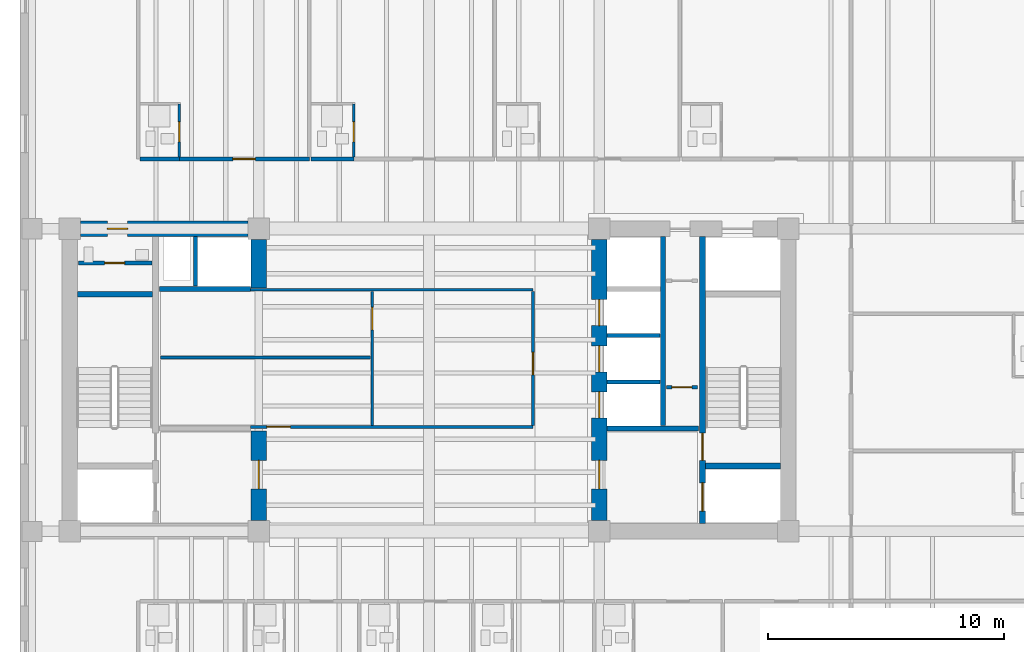
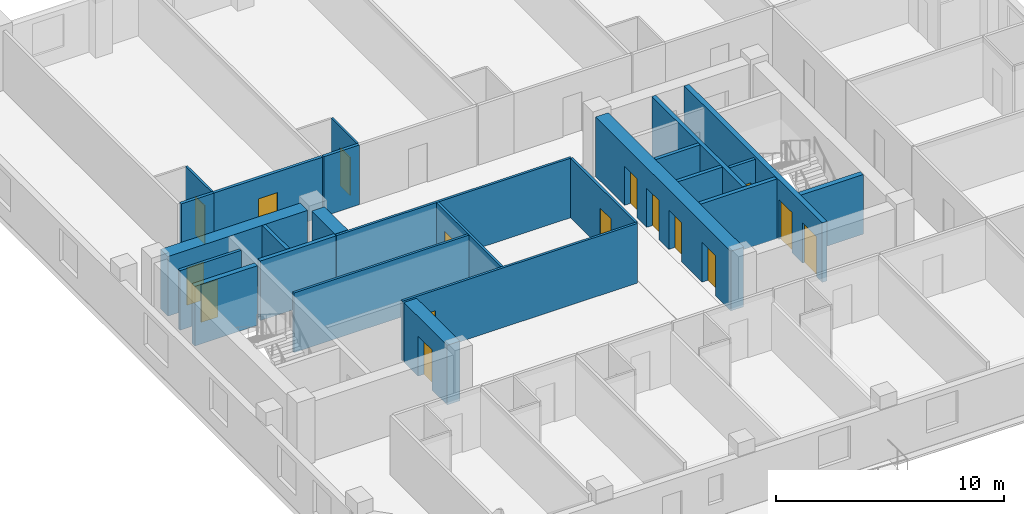
# One storey, part 4 of 11: 25 walls, 16 doors, 16 openings.
"""IFC4 building model written with IfcOpenShell, lengths in metres."""

from ifc_helpers import new_model, si_unit, direction, frame, frame_2d, origin, place, context, subcontext, project, spatial, rectangle, extrude, material, layer, layer_set, type_object, element, fill, save


model = new_model("IFC4")

# Units and contexts
model_context = context("Model", 3, precision=1e-05, world=origin(), true_north=direction((0.0, 1.0)))
body_context = subcontext(model_context, "Body", "Model", "MODEL_VIEW")
ifc_project = project(units=[si_unit("LENGTHUNIT", "METRE"), si_unit("AREAUNIT", "SQUARE_METRE"), si_unit("VOLUMEUNIT", "CUBIC_METRE"), si_unit("PLANEANGLEUNIT", "RADIAN"), si_unit("MASSUNIT", "GRAM", prefix="KILO")], contexts=[model_context])

# Site, building, storey
site_placement = place(None, origin())
site = spatial("IfcSite", under=ifc_project, at=site_placement, CompositionType="ELEMENT")
building_placement = place(site_placement, origin())
building = spatial("IfcBuilding", under=site, at=building_placement, Name="Kranthara Brick Stack", CompositionType="ELEMENT")
storey_placement = place(building_placement, frame((0.0, 0.0, 172.800048828125)))
storey = spatial("IfcBuildingStorey", under=building, at=storey_placement, Name="L44", CompositionType="ELEMENT", Elevation=172.800048828125)

# Wall
ifc_material_1 = material(Name="Concrete C50/60", Category="concrete")
ifc_layer_1 = layer(ifc_material_1, 0.25)
ifc_layer_set_1 = layer_set([ifc_layer_1], Name="Concrete C50/60")
wall_type_1 = type_object("IfcWallType", Name="WL-CORE-250", PredefinedType="SHEAR", material=ifc_layer_set_1)
wall_1_placement = place(storey_placement, frame((13.135009765625, 30.830078125, 0.0), z_axis=(0.0, 0.0, 1.0), x_axis=(1.0, 0.0, 0.0)))
element("IfcWall", 1, at=wall_1_placement, inside=storey, type_object=wall_type_1, Name="L44 West Stairwell Bearing Wall WST", PredefinedType="SHEAR", context=body_context, shape_type="SweptSolid", body=[
    extrude(rectangle(XDim=3.175048828125, YDim=0.25, at=frame_2d((1.58740234375, 0.0))), origin(), (0.0, 0.0, 1.0), 3.199951171875),
])

# Wall, openings, doors
wall_2_placement = place(storey_placement, frame((39.56494140625, 21.135009765625, 0.0), z_axis=(0.0, 0.0, 1.0), x_axis=(0.0, 1.0, 0.0)))
wall_2 = element("IfcWall", 2, at=wall_2_placement, inside=storey, type_object=wall_type_1, Name="L44 East Core Stair Bearing Spine Wall", PredefinedType="SHEAR", context=body_context, shape_type="SweptSolid", body=[
    extrude(rectangle(XDim=12.1298828125, YDim=0.25, at=frame_2d((6.06494140625, 0.0))), origin(), (0.0, 0.0, 1.0), 3.199951171875),
])
opening_1_placement = place(wall_2_placement, frame((0.514892578125, 0.0, 0.0)))
opening_1 = element("IfcOpeningElement", 3, at=opening_1_placement, cuts=wall_2, Name="Opening LD01", PredefinedType="OPENING", context=body_context, shape_type="SweptSolid", body=[
    extrude(rectangle(XDim=1.199951171875, YDim=2.14990234375, at=frame_2d((0.60009765625, 1.074951171875))), frame((0.0, 0.135009765625, 0.0), z_axis=(0.0, -1.0, 0.0), x_axis=(1.0, 0.0, 0.0)), (0.0, 0.0, 1.0), 0.27001953125),
])
opening_2_placement = place(wall_2_placement, frame((2.6650390625, 0.0, 0.0)))
opening_2 = element("IfcOpeningElement", 4, at=opening_2_placement, cuts=wall_2, Name="Opening D05", PredefinedType="OPENING", context=body_context, shape_type="SweptSolid", body=[
    extrude(rectangle(XDim=1.14990234375, YDim=2.14990234375, at=frame_2d((0.574951171875, 1.074951171875))), frame((0.0, 0.135009765625, 0.0), z_axis=(0.0, -1.0, 0.0), x_axis=(1.0, 0.0, 0.0)), (0.0, 0.0, 1.0), 0.27001953125),
])
ifc_material_2 = material(Name="Stainless steel sliding landing door", Category="steel")
door_type_1 = type_object("IfcDoorType", Name="DR-LD-FF1200", OperationType="DOUBLE_DOOR_SLIDING", PredefinedType="DOOR", material=ifc_material_2)
door_1_placement = place(opening_1_placement, origin())
door_1 = element("IfcDoor", 5, at=door_1_placement, inside=storey, type_object=door_type_1, Name="L44 Firefighting Lift FF-02 Landing Door", OperationType="DOUBLE_DOOR_SLIDING", OverallHeight=2.14990234375, OverallWidth=1.199951171875, PredefinedType="DOOR", context=body_context, shape_type="SweptSolid", body=[
    extrude(rectangle(XDim=1.199951171875, YDim=2.14990234375, at=frame_2d((0.60009765625, 1.074951171875))), frame((0.0, 0.02490234375, 0.0), z_axis=(0.0, -1.0, 0.0), x_axis=(1.0, 0.0, 0.0)), (0.0, 0.0, 1.0), 0.050048828125),
])
fill(opening_1, door_1)
ifc_material_3 = material(Name="Solid-core hardwood timber leaf in steel frame", Category="steel")
door_type_2 = type_object("IfcDoorType", Name="DR-ST-1150", OperationType="NOTDEFINED", PredefinedType="DOOR", material=ifc_material_3)
door_2_placement = place(opening_2_placement, origin())
door_2 = element("IfcDoor", 6, at=door_2_placement, inside=storey, type_object=door_type_2, Name="L44 Exit Stair ST02 Door", OperationType="SINGLE_SWING_LEFT", OverallHeight=2.14990234375, OverallWidth=1.14990234375, PredefinedType="DOOR", context=body_context, shape_type="SweptSolid", body=[
    extrude(rectangle(XDim=1.14990234375, YDim=2.14990234375, at=frame_2d((0.574951171875, 1.074951171875))), frame((0.0, 0.02490234375, 0.0), z_axis=(0.0, -1.0, 0.0), x_axis=(1.0, 0.0, 0.0)), (0.0, 0.0, 1.0), 0.050048828125),
])
fill(opening_2, door_2)

# Wall
wall_3_placement = place(storey_placement, frame((39.68994140625, 23.570068359375, 0.0), z_axis=(0.0, 0.0, 1.0), x_axis=(1.0, 0.0, 0.0)))
element("IfcWall", 7, at=wall_3_placement, inside=storey, type_object=wall_type_1, Name="L44 East Stairwell Bearing Wall EFF", PredefinedType="SHEAR", context=body_context, shape_type="SweptSolid", body=[
    extrude(rectangle(XDim=3.175048828125, YDim=0.25, at=frame_2d((1.58740234375, 0.0))), origin(), (0.0, 0.0, 1.0), 3.199951171875),
])

# Wall, opening, door
ifc_material_4 = material(Name="Concrete C60/75", Category="concrete")
ifc_layer_2 = layer(ifc_material_4, 0.64990234375)
ifc_layer_set_2 = layer_set([ifc_layer_2], Name="Concrete C60/75")
wall_type_2 = type_object("IfcWallType", Name="WL-CORE-650", PredefinedType="SHEAR", material=ifc_layer_set_2)
wall_4_placement = place(storey_placement, frame((13.2548828125, 33.60009765625, 0.0), z_axis=(0.0, 0.0, 1.0), x_axis=(1.0, 0.0, 0.0)))
wall_4 = element("IfcWall", 8, at=wall_4_placement, inside=storey, type_object=wall_type_2, Name="L44 West Core Shear Wall North", PredefinedType="SHEAR", context=body_context, shape_type="SweptSolid", body=[
    extrude(rectangle(XDim=7.090087890625, YDim=0.64990234375, at=frame_2d((3.544921875, 0.0))), origin(), (0.0, 0.0, 1.0), 3.199951171875),
])
opening_3_placement = place(wall_4_placement, frame((1.14501953125, 0.0, 0.0)))
opening_3 = element("IfcOpeningElement", 9, at=opening_3_placement, cuts=wall_4, Name="Opening D10", PredefinedType="OPENING", context=body_context, shape_type="SweptSolid", body=[
    extrude(rectangle(XDim=0.85009765625, YDim=2.02001953125, at=frame_2d((0.425048828125, 1.010009765625))), frame((0.0, 0.3349609375, 0.0), z_axis=(0.0, -1.0, 0.0), x_axis=(1.0, 0.0, 0.0)), (0.0, 0.0, 1.0), 0.669921875),
])
ifc_material_5 = material(Name="Solid-core hardwood timber leaf in steel frame", Category="steel")
door_type_3 = type_object("IfcDoorType", Name="DR-RSR-850", OperationType="NOTDEFINED", PredefinedType="DOOR", material=ifc_material_5)
door_3_placement = place(opening_3_placement, origin())
door_3 = element("IfcDoor", 10, at=door_3_placement, inside=storey, type_object=door_type_3, Name="L44 West Core Service Door 1", OperationType="SINGLE_SWING_LEFT", OverallHeight=2.02001953125, OverallWidth=0.85009765625, PredefinedType="DOOR", context=body_context, shape_type="SweptSolid", body=[
    extrude(rectangle(XDim=0.85009765625, YDim=2.02001953125, at=frame_2d((0.425048828125, 1.010009765625))), frame((0.0, 0.02490234375, 0.0), z_axis=(0.0, -1.0, 0.0), x_axis=(1.0, 0.0, 0.0)), (0.0, 0.0, 1.0), 0.050048828125),
])
fill(opening_3, door_3)

wall_5_placement = place(storey_placement, frame((20.800048828125, 21.2548828125, 0.0), z_axis=(0.0, 0.0, 1.0), x_axis=(0.0, 1.0, 0.0)))
wall_5 = element("IfcWall", 11, at=wall_5_placement, inside=storey, type_object=wall_type_2, Name="L44 West Core Lobby Shear Wall", PredefinedType="SHEAR", context=body_context, shape_type="SweptSolid", body=[
    extrude(rectangle(XDim=3.795166015625, YDim=0.64990234375, at=frame_2d((1.8974609375, 0.0))), origin(), (0.0, 0.0, 1.0), 3.199951171875),
])
opening_4_placement = place(wall_5_placement, frame((1.344970703125, 0.0, 0.0)))
opening_4 = element("IfcOpeningElement", 12, at=opening_4_placement, cuts=wall_5, Name="Opening D06", PredefinedType="OPENING", context=body_context, shape_type="SweptSolid", body=[
    extrude(rectangle(XDim=1.199951171875, YDim=2.14990234375, at=frame_2d((0.60009765625, 1.074951171875))), frame((0.0, 0.3349609375, 0.0), z_axis=(0.0, -1.0, 0.0), x_axis=(1.0, 0.0, 0.0)), (0.0, 0.0, 1.0), 0.669921875),
])
ifc_material_6 = material(Name="Solid-core hardwood timber leaf in steel frame", Category="steel")
door_type_4 = type_object("IfcDoorType", Name="DR-FFL-1200", OperationType="NOTDEFINED", PredefinedType="DOOR", material=ifc_material_6)
door_4_placement = place(opening_4_placement, origin())
door_4 = element("IfcDoor", 13, at=door_4_placement, inside=storey, type_object=door_type_4, Name="L44 West Firefighting Lobby Door", OperationType="SINGLE_SWING_LEFT", OverallHeight=2.14990234375, OverallWidth=1.199951171875, PredefinedType="DOOR", context=body_context, shape_type="SweptSolid", body=[
    extrude(rectangle(XDim=1.199951171875, YDim=2.14990234375, at=frame_2d((0.60009765625, 1.074951171875))), frame((0.0, 0.02490234375, 0.0), z_axis=(0.0, -1.0, 0.0), x_axis=(1.0, 0.0, 0.0)), (0.0, 0.0, 1.0), 0.050048828125),
])
fill(opening_4, door_4)

# Wall
wall_6_placement = place(storey_placement, frame((20.800048828125, 31.10009765625, 0.0), z_axis=(0.0, 0.0, 1.0), x_axis=(0.0, 1.0, 0.0)))
element("IfcWall", 14, at=wall_6_placement, inside=storey, type_object=wall_type_2, Name="L44 West Core High-Rise Lift Wall", PredefinedType="SHEAR", context=body_context, shape_type="SweptSolid", body=[
    extrude(rectangle(XDim=2.044921875, YDim=0.64990234375, at=frame_2d((1.0224609375, 0.0))), origin(), (0.0, 0.0, 1.0), 3.199951171875),
])

# Wall, openings, doors
wall_7_placement = place(storey_placement, frame((35.199951171875, 21.2548828125, 0.0), z_axis=(0.0, 0.0, 1.0), x_axis=(0.0, 1.0, 0.0)))
wall_7 = element("IfcWall", 15, at=wall_7_placement, inside=storey, type_object=wall_type_2, Name="L44 East Core Shear Wall West", PredefinedType="SHEAR", context=body_context, shape_type="SweptSolid", body=[
    extrude(rectangle(XDim=11.89013671875, YDim=0.64990234375, at=frame_2d((5.945068359375, 0.0))), origin(), (0.0, 0.0, 1.0), 3.199951171875),
])
opening_5_placement = place(wall_7_placement, frame((1.344970703125, 0.0, 0.0)))
opening_5 = element("IfcOpeningElement", 16, at=opening_5_placement, cuts=wall_7, Name="Opening D06", PredefinedType="OPENING", context=body_context, shape_type="SweptSolid", body=[
    extrude(rectangle(XDim=1.199951171875, YDim=2.14990234375, at=frame_2d((0.60009765625, 1.074951171875))), frame((0.0, 0.3349609375, 0.0), z_axis=(0.0, -1.0, 0.0), x_axis=(1.0, 0.0, 0.0)), (0.0, 0.0, 1.0), 0.669921875),
])
opening_6_placement = place(wall_7_placement, frame((4.344970703125, 0.0, 0.0)))
opening_6 = element("IfcOpeningElement", 17, at=opening_6_placement, cuts=wall_7, Name="Opening LD02", PredefinedType="OPENING", context=body_context, shape_type="SweptSolid", body=[
    extrude(rectangle(XDim=1.10009765625, YDim=2.10009765625, at=frame_2d((0.550048828125, 1.050048828125))), frame((0.0, 0.3349609375, 0.0), z_axis=(0.0, -1.0, 0.0), x_axis=(1.0, 0.0, 0.0)), (0.0, 0.0, 1.0), 0.669921875),
])
opening_7_placement = place(wall_7_placement, frame((6.294921875, 0.0, 0.0)))
opening_7 = element("IfcOpeningElement", 18, at=opening_7_placement, cuts=wall_7, Name="Opening LD02", PredefinedType="OPENING", context=body_context, shape_type="SweptSolid", body=[
    extrude(rectangle(XDim=1.10009765625, YDim=2.10009765625, at=frame_2d((0.550048828125, 1.050048828125))), frame((0.0, 0.3349609375, 0.0), z_axis=(0.0, -1.0, 0.0), x_axis=(1.0, 0.0, 0.0)), (0.0, 0.0, 1.0), 0.669921875),
])
opening_8_placement = place(wall_7_placement, frame((8.2451171875, 0.0, 0.0)))
opening_8 = element("IfcOpeningElement", 19, at=opening_8_placement, cuts=wall_7, Name="Opening LD02", PredefinedType="OPENING", context=body_context, shape_type="SweptSolid", body=[
    extrude(rectangle(XDim=1.10009765625, YDim=2.10009765625, at=frame_2d((0.550048828125, 1.050048828125))), frame((0.0, 0.3349609375, 0.0), z_axis=(0.0, -1.0, 0.0), x_axis=(1.0, 0.0, 0.0)), (0.0, 0.0, 1.0), 0.669921875),
])
door_5_placement = place(opening_5_placement, origin())
door_5 = element("IfcDoor", 20, at=door_5_placement, inside=storey, type_object=door_type_4, Name="L44 East Firefighting Lobby Door", OperationType="SINGLE_SWING_RIGHT", OverallHeight=2.14990234375, OverallWidth=1.199951171875, PredefinedType="DOOR", context=body_context, shape_type="SweptSolid", body=[
    extrude(rectangle(XDim=1.199951171875, YDim=2.14990234375, at=frame_2d((0.60009765625, 1.074951171875))), frame((0.0, 0.02490234375, 0.0), z_axis=(0.0, -1.0, 0.0), x_axis=(1.0, 0.0, 0.0)), (0.0, 0.0, 1.0), 0.050048828125),
])
fill(opening_5, door_5)
ifc_material_7 = material(Name="Stainless steel sliding landing door", Category="steel")
door_type_5 = type_object("IfcDoorType", Name="DR-LD-PL1100", OperationType="DOUBLE_DOOR_SLIDING", PredefinedType="DOOR", material=ifc_material_7)
door_6_placement = place(opening_6_placement, origin())
door_6 = element("IfcDoor", 21, at=door_6_placement, inside=storey, type_object=door_type_5, Name="L44 PL-04 Lift Landing Door", OperationType="DOUBLE_DOOR_SLIDING", OverallHeight=2.10009765625, OverallWidth=1.10009765625, PredefinedType="DOOR", context=body_context, shape_type="SweptSolid", body=[
    extrude(rectangle(XDim=1.10009765625, YDim=2.10009765625, at=frame_2d((0.550048828125, 1.050048828125))), frame((0.0, 0.02490234375, 0.0), z_axis=(0.0, -1.0, 0.0), x_axis=(1.0, 0.0, 0.0)), (0.0, 0.0, 1.0), 0.050048828125),
])
fill(opening_6, door_6)
door_7_placement = place(opening_7_placement, origin())
door_7 = element("IfcDoor", 22, at=door_7_placement, inside=storey, type_object=door_type_5, Name="L44 PL-05 Lift Landing Door", OperationType="DOUBLE_DOOR_SLIDING", OverallHeight=2.10009765625, OverallWidth=1.10009765625, PredefinedType="DOOR", context=body_context, shape_type="SweptSolid", body=[
    extrude(rectangle(XDim=1.10009765625, YDim=2.10009765625, at=frame_2d((0.550048828125, 1.050048828125))), frame((0.0, 0.02490234375, 0.0), z_axis=(0.0, -1.0, 0.0), x_axis=(1.0, 0.0, 0.0)), (0.0, 0.0, 1.0), 0.050048828125),
])
fill(opening_7, door_7)
door_8_placement = place(opening_8_placement, origin())
door_8 = element("IfcDoor", 23, at=door_8_placement, inside=storey, type_object=door_type_5, Name="L44 PL-06 Lift Landing Door", OperationType="DOUBLE_DOOR_SLIDING", OverallHeight=2.10009765625, OverallWidth=1.10009765625, PredefinedType="DOOR", context=body_context, shape_type="SweptSolid", body=[
    extrude(rectangle(XDim=1.10009765625, YDim=2.10009765625, at=frame_2d((0.550048828125, 1.050048828125))), frame((0.0, 0.02490234375, 0.0), z_axis=(0.0, -1.0, 0.0), x_axis=(1.0, 0.0, 0.0)), (0.0, 0.0, 1.0), 0.050048828125),
])
fill(opening_8, door_8)

# Wall, opening, door
ifc_material_8 = material(Name="Moisture-resistant wet-room partition", Category="other")
ifc_layer_3 = layer(ifc_material_8, 0.10009765625)
ifc_layer_set_3 = layer_set([ifc_layer_3], Name="Moisture-resistant wet-room partition")
wall_type_3 = type_object("IfcWallType", Name="WL-PART-100", PredefinedType="PARTITIONING", material=ifc_layer_set_3)
wall_8_placement = place(storey_placement, frame((17.4365234375, 36.6298828125, 0.0), z_axis=(0.0, 0.0, 1.0), x_axis=(0.0, 1.0, 0.0)))
wall_8 = element("IfcWall", 24, at=wall_8_placement, inside=storey, type_object=wall_type_3, Name="L44 Interior Partition 040", PredefinedType="PARTITIONING", context=body_context, shape_type="SweptSolid", body=[
    extrude(rectangle(XDim=2.25, YDim=0.10009765625, at=frame_2d((1.125, 0.0))), origin(), (0.0, 0.0, 1.0), 3.199951171875),
])
opening_9_placement = place(wall_8_placement, frame((0.639892578125, 0.0, 0.0)))
opening_9 = element("IfcOpeningElement", 25, at=opening_9_placement, cuts=wall_8, Name="Opening D17", PredefinedType="OPENING", context=body_context, shape_type="SweptSolid", body=[
    extrude(rectangle(XDim=0.85009765625, YDim=2.050048828125, at=frame_2d((0.425048828125, 1.02490234375))), frame((0.0, 0.06005859375, 0.0), z_axis=(0.0, -1.0, 0.0), x_axis=(1.0, 0.0, 0.0)), (0.0, 0.0, 1.0), 0.1201171875),
])
ifc_material_9 = material(Name="Solid-core hardwood timber leaf in steel frame", Category="steel")
door_type_6 = type_object("IfcDoorType", Name="DR-WET-850", OperationType="NOTDEFINED", PredefinedType="DOOR", material=ifc_material_9)
door_9_placement = place(opening_9_placement, origin())
door_9 = element("IfcDoor", 26, at=door_9_placement, inside=storey, type_object=door_type_6, Name="L44 Key 07 En-Suite Door 18", OperationType="SINGLE_SWING_RIGHT", OverallHeight=2.050048828125, OverallWidth=0.85009765625, PredefinedType="DOOR", context=body_context, shape_type="SweptSolid", body=[
    extrude(rectangle(XDim=0.85009765625, YDim=2.050048828125, at=frame_2d((0.425048828125, 1.02490234375))), frame((0.0, 0.02490234375, 0.0), z_axis=(0.0, -1.0, 0.0), x_axis=(1.0, 0.0, 0.0)), (0.0, 0.0, 1.0), 0.050048828125),
])
fill(opening_9, door_9)

wall_9_placement = place(storey_placement, frame((24.8173828125, 36.6298828125, 0.0), z_axis=(0.0, 0.0, 1.0), x_axis=(0.0, 1.0, 0.0)))
wall_9 = element("IfcWall", 27, at=wall_9_placement, inside=storey, type_object=wall_type_3, Name="L44 Interior Partition 045", PredefinedType="PARTITIONING", context=body_context, shape_type="SweptSolid", body=[
    extrude(rectangle(XDim=2.25, YDim=0.10009765625, at=frame_2d((1.125, 0.0))), origin(), (0.0, 0.0, 1.0), 3.199951171875),
])
opening_10_placement = place(wall_9_placement, frame((0.639892578125, 0.0, 0.0)))
opening_10 = element("IfcOpeningElement", 28, at=opening_10_placement, cuts=wall_9, Name="Opening D17", PredefinedType="OPENING", context=body_context, shape_type="SweptSolid", body=[
    extrude(rectangle(XDim=0.85009765625, YDim=2.050048828125, at=frame_2d((0.425048828125, 1.02490234375))), frame((0.0, 0.06005859375, 0.0), z_axis=(0.0, -1.0, 0.0), x_axis=(1.0, 0.0, 0.0)), (0.0, 0.0, 1.0), 0.1201171875),
])
door_10_placement = place(opening_10_placement, origin())
door_10 = element("IfcDoor", 29, at=door_10_placement, inside=storey, type_object=door_type_6, Name="L44 Key 08 En-Suite Door 20", OperationType="SINGLE_SWING_RIGHT", OverallHeight=2.050048828125, OverallWidth=0.85009765625, PredefinedType="DOOR", context=body_context, shape_type="SweptSolid", body=[
    extrude(rectangle(XDim=0.85009765625, YDim=2.050048828125, at=frame_2d((0.425048828125, 1.02490234375))), frame((0.0, 0.02490234375, 0.0), z_axis=(0.0, -1.0, 0.0), x_axis=(1.0, 0.0, 0.0)), (0.0, 0.0, 1.0), 0.050048828125),
])
fill(opening_10, door_10)

ifc_material_10 = material(Name="Acoustic gypsum plasterboard partition", Category="other")
ifc_layer_4 = layer(ifc_material_10, 0.1201171875)
ifc_layer_set_4 = layer_set([ifc_layer_4], Name="Acoustic gypsum plasterboard partition")
wall_type_4 = type_object("IfcWallType", Name="WL-PART-120", PredefinedType="PARTITIONING", material=ifc_layer_set_4)
wall_10_placement = place(storey_placement, frame((20.4599609375, 25.219970703125, 0.0), z_axis=(0.0, 0.0, 1.0), x_axis=(1.0, 0.0, 0.0)))
wall_10 = element("IfcWall", 30, at=wall_10_placement, inside=storey, type_object=wall_type_4, Name="L44 Interior Partition 004", PredefinedType="PARTITIONING", context=body_context, shape_type="SweptSolid", body=[
    extrude(rectangle(XDim=11.93994140625, YDim=0.1201171875, at=frame_2d((5.969970703125, 0.0))), origin(), (0.0, 0.0, 1.0), 3.199951171875),
])
opening_11_placement = place(wall_10_placement, frame((0.679931640625, 0.0, 0.0)))
opening_11 = element("IfcOpeningElement", 31, at=opening_11_placement, cuts=wall_10, Name="Opening D13", PredefinedType="OPENING", context=body_context, shape_type="SweptSolid", body=[
    extrude(rectangle(XDim=1.0, YDim=2.10009765625, at=frame_2d((0.5, 1.050048828125))), frame((0.0, 0.070068359375, 0.0), z_axis=(0.0, -1.0, 0.0), x_axis=(1.0, 0.0, 0.0)), (0.0, 0.0, 1.0), 0.14013671875),
])
ifc_material_11 = material(Name="Solid-core hardwood timber leaf in steel frame", Category="steel")
door_type_7 = type_object("IfcDoorType", Name="DR-INT-1000", OperationType="NOTDEFINED", PredefinedType="DOOR", material=ifc_material_11)
door_11_placement = place(opening_11_placement, origin())
door_11 = element("IfcDoor", 32, at=door_11_placement, inside=storey, type_object=door_type_7, Name="L44 Reading Room Door 04", OperationType="SINGLE_SWING_RIGHT", OverallHeight=2.10009765625, OverallWidth=1.0, PredefinedType="DOOR", context=body_context, shape_type="SweptSolid", body=[
    extrude(rectangle(XDim=1.0, YDim=2.10009765625, at=frame_2d((0.5, 1.050048828125))), frame((0.0, 0.02490234375, 0.0), z_axis=(0.0, -1.0, 0.0), x_axis=(1.0, 0.0, 0.0)), (0.0, 0.0, 1.0), 0.050048828125),
])
fill(opening_11, door_11)

# Wall
wall_11_placement = place(storey_placement, frame((20.4599609375, 31.02001953125, 0.0), z_axis=(0.0, 0.0, 1.0), x_axis=(1.0, 0.0, 0.0)))
element("IfcWall", 33, at=wall_11_placement, inside=storey, type_object=wall_type_4, Name="L44 Interior Partition 005", PredefinedType="PARTITIONING", context=body_context, shape_type="SweptSolid", body=[
    extrude(rectangle(XDim=11.93994140625, YDim=0.1201171875, at=frame_2d((5.969970703125, 0.0))), origin(), (0.0, 0.0, 1.0), 3.199951171875),
])

# Wall, opening, door
wall_12_placement = place(storey_placement, frame((32.39990234375, 25.284912109375, 0.0), z_axis=(0.0, 0.0, 1.0), x_axis=(0.0, 1.0, 0.0)))
wall_12 = element("IfcWall", 34, at=wall_12_placement, inside=storey, type_object=wall_type_4, Name="L44 Interior Partition 006", PredefinedType="PARTITIONING", context=body_context, shape_type="SweptSolid", body=[
    extrude(rectangle(XDim=5.670166015625, YDim=0.1201171875, at=frame_2d((2.8349609375, 0.0))), origin(), (0.0, 0.0, 1.0), 3.199951171875),
])
opening_12_placement = place(wall_12_placement, frame((2.135009765625, 0.0, 0.0)))
opening_12 = element("IfcOpeningElement", 35, at=opening_12_placement, cuts=wall_12, Name="Opening D14", PredefinedType="OPENING", context=body_context, shape_type="SweptSolid", body=[
    extrude(rectangle(XDim=0.949951171875, YDim=2.10009765625, at=frame_2d((0.47509765625, 1.050048828125))), frame((0.0, 0.070068359375, 0.0), z_axis=(0.0, -1.0, 0.0), x_axis=(1.0, 0.0, 0.0)), (0.0, 0.0, 1.0), 0.14013671875),
])
ifc_material_12 = material(Name="Solid-core hardwood timber leaf in steel frame", Category="steel")
door_type_8 = type_object("IfcDoorType", Name="DR-INT-950", OperationType="NOTDEFINED", PredefinedType="DOOR", material=ifc_material_12)
door_12_placement = place(opening_12_placement, origin())
door_12 = element("IfcDoor", 36, at=door_12_placement, inside=storey, type_object=door_type_8, Name="L44 Housekeeping Linen Door 06", OperationType="SINGLE_SWING_RIGHT", OverallHeight=2.10009765625, OverallWidth=0.949951171875, PredefinedType="DOOR", context=body_context, shape_type="SweptSolid", body=[
    extrude(rectangle(XDim=0.949951171875, YDim=2.10009765625, at=frame_2d((0.47509765625, 1.050048828125))), frame((0.0, 0.02490234375, 0.0), z_axis=(0.0, -1.0, 0.0), x_axis=(1.0, 0.0, 0.0)), (0.0, 0.0, 1.0), 0.050048828125),
])
fill(opening_12, door_12)

wall_13_placement = place(storey_placement, frame((25.60009765625, 25.284912109375, 0.0), z_axis=(0.0, 0.0, 1.0), x_axis=(0.0, 1.0, 0.0)))
wall_13 = element("IfcWall", 37, at=wall_13_placement, inside=storey, type_object=wall_type_4, Name="L44 Interior Partition 007", PredefinedType="PARTITIONING", context=body_context, shape_type="SweptSolid", body=[
    extrude(rectangle(XDim=5.670166015625, YDim=0.1201171875, at=frame_2d((2.8349609375, 0.0))), origin(), (0.0, 0.0, 1.0), 3.199951171875),
])
opening_13_placement = place(wall_13_placement, frame((4.034912109375, 0.0, 0.0)))
opening_13 = element("IfcOpeningElement", 38, at=opening_13_placement, cuts=wall_13, Name="Opening D14", PredefinedType="OPENING", context=body_context, shape_type="SweptSolid", body=[
    extrude(rectangle(XDim=0.949951171875, YDim=2.10009765625, at=frame_2d((0.47509765625, 1.050048828125))), frame((0.0, 0.070068359375, 0.0), z_axis=(0.0, -1.0, 0.0), x_axis=(1.0, 0.0, 0.0)), (0.0, 0.0, 1.0), 0.14013671875),
])
door_13_placement = place(opening_13_placement, origin())
door_13 = element("IfcDoor", 39, at=door_13_placement, inside=storey, type_object=door_type_8, Name="L44 Meeting Salon Door 05", OperationType="SINGLE_SWING_LEFT", OverallHeight=2.10009765625, OverallWidth=0.949951171875, PredefinedType="DOOR", context=body_context, shape_type="SweptSolid", body=[
    extrude(rectangle(XDim=0.949951171875, YDim=2.10009765625, at=frame_2d((0.47509765625, 1.050048828125))), frame((0.0, 0.02490234375, 0.0), z_axis=(0.0, -1.0, 0.0), x_axis=(1.0, 0.0, 0.0)), (0.0, 0.0, 1.0), 0.050048828125),
])
fill(opening_13, door_13)

# Wall
wall_14_placement = place(storey_placement, frame((16.64990234375, 28.14990234375, 0.0), z_axis=(0.0, 0.0, 1.0), x_axis=(1.0, 0.0, 0.0)))
element("IfcWall", 40, at=wall_14_placement, inside=storey, type_object=wall_type_4, Name="L44 Interior Partition 008", PredefinedType="PARTITIONING", context=body_context, shape_type="SweptSolid", body=[
    extrude(rectangle(XDim=8.885009765625, YDim=0.1201171875, at=frame_2d((4.4423828125, 0.0))), origin(), (0.0, 0.0, 1.0), 3.199951171875),
])

# Wall, opening, door
ifc_material_13 = material(Name="Fire-rated gypsum board partition", Category="other")
ifc_layer_5 = layer(ifc_material_13, 0.14990234375)
ifc_layer_set_5 = layer_set([ifc_layer_5], Name="Fire-rated gypsum board partition")
wall_type_5 = type_object("IfcWallType", Name="WL-PART-150", PredefinedType="PARTITIONING", material=ifc_layer_set_5)
wall_15_placement = place(storey_placement, frame((13.179931640625, 32.14990234375, 0.0), z_axis=(0.0, 0.0, 1.0), x_axis=(1.0, 0.0, 0.0)))
wall_15 = element("IfcWall", 41, at=wall_15_placement, inside=storey, type_object=wall_type_5, Name="L44 Interior Partition 001", PredefinedType="PARTITIONING", context=body_context, shape_type="SweptSolid", body=[
    extrude(rectangle(XDim=3.10009765625, YDim=0.14990234375, at=frame_2d((1.550048828125, 0.0))), origin(), (0.0, 0.0, 1.0), 3.199951171875),
])
opening_14_placement = place(wall_15_placement, frame((1.10009765625, 0.0, 0.0)))
opening_14 = element("IfcOpeningElement", 42, at=opening_14_placement, cuts=wall_15, Name="Opening D10", PredefinedType="OPENING", context=body_context, shape_type="SweptSolid", body=[
    extrude(rectangle(XDim=0.85009765625, YDim=2.02001953125, at=frame_2d((0.425048828125, 1.010009765625))), frame((0.0, 0.0849609375, 0.0), z_axis=(0.0, -1.0, 0.0), x_axis=(1.0, 0.0, 0.0)), (0.0, 0.0, 1.0), 0.169921875),
])
door_14_placement = place(opening_14_placement, origin())
door_14 = element("IfcDoor", 43, at=door_14_placement, inside=storey, type_object=door_type_3, Name="L44 West Inner Riser Door 01", OperationType="SINGLE_SWING_LEFT", OverallHeight=2.02001953125, OverallWidth=0.85009765625, PredefinedType="DOOR", context=body_context, shape_type="SweptSolid", body=[
    extrude(rectangle(XDim=0.85009765625, YDim=2.02001953125, at=frame_2d((0.425048828125, 1.010009765625))), frame((0.0, 0.02490234375, 0.0), z_axis=(0.0, -1.0, 0.0), x_axis=(1.0, 0.0, 0.0)), (0.0, 0.0, 1.0), 0.050048828125),
])
fill(opening_14, door_14)

wall_16_placement = place(storey_placement, frame((38.050048828125, 26.89990234375, 0.0), z_axis=(0.0, 0.0, 1.0), x_axis=(1.0, 0.0, 0.0)))
wall_16 = element("IfcWall", 44, at=wall_16_placement, inside=storey, type_object=wall_type_5, Name="L44 Interior Partition 002", PredefinedType="PARTITIONING", context=body_context, shape_type="SweptSolid", body=[
    extrude(rectangle(XDim=1.300048828125, YDim=0.14990234375, at=frame_2d((0.64990234375, 0.0))), origin(), (0.0, 0.0, 1.0), 3.199951171875),
])
opening_15_placement = place(wall_16_placement, frame((0.219970703125, 0.0, 0.0)))
opening_15 = element("IfcOpeningElement", 45, at=opening_15_placement, cuts=wall_16, Name="Opening D10", PredefinedType="OPENING", context=body_context, shape_type="SweptSolid", body=[
    extrude(rectangle(XDim=0.85009765625, YDim=2.02001953125, at=frame_2d((0.425048828125, 1.010009765625))), frame((0.0, 0.0849609375, 0.0), z_axis=(0.0, -1.0, 0.0), x_axis=(1.0, 0.0, 0.0)), (0.0, 0.0, 1.0), 0.169921875),
])
door_15_placement = place(opening_15_placement, origin())
door_15 = element("IfcDoor", 46, at=door_15_placement, inside=storey, type_object=door_type_3, Name="L44 East Valve Door 02", OperationType="SINGLE_SWING_RIGHT", OverallHeight=2.02001953125, OverallWidth=0.85009765625, PredefinedType="DOOR", context=body_context, shape_type="SweptSolid", body=[
    extrude(rectangle(XDim=0.85009765625, YDim=2.02001953125, at=frame_2d((0.425048828125, 1.010009765625))), frame((0.0, 0.02490234375, 0.0), z_axis=(0.0, -1.0, 0.0), x_axis=(1.0, 0.0, 0.0)), (0.0, 0.0, 1.0), 0.050048828125),
])
fill(opening_15, door_15)

# Wall
wall_17_placement = place(storey_placement, frame((15.780029296875, 36.550048828125, 0.0), z_axis=(0.0, 0.0, 1.0), x_axis=(1.0, 0.0, 0.0)))
element("IfcWall", 47, at=wall_17_placement, inside=storey, type_object=wall_type_5, Name="L44 Interior Partition 038", PredefinedType="PARTITIONING", context=body_context, shape_type="SweptSolid", body=[
    extrude(rectangle(XDim=1.656494140625, YDim=0.14990234375, at=frame_2d((0.828125, 0.0))), origin(), (0.0, 0.0, 1.0), 3.199951171875),
])

# Wall, opening, door
wall_18_placement = place(storey_placement, frame((17.4365234375, 36.550048828125, 0.0), z_axis=(0.0, 0.0, 1.0), x_axis=(1.0, 0.0, 0.0)))
wall_18 = element("IfcWall", 48, at=wall_18_placement, inside=storey, type_object=wall_type_5, Name="L44 Interior Partition 039", PredefinedType="PARTITIONING", context=body_context, shape_type="SweptSolid", body=[
    extrude(rectangle(XDim=5.49951171875, YDim=0.14990234375, at=frame_2d((2.749755859375, 0.0))), origin(), (0.0, 0.0, 1.0), 3.199951171875),
])
opening_16_placement = place(wall_18_placement, frame((2.27001953125, 0.0, 0.0)))
opening_16 = element("IfcOpeningElement", 49, at=opening_16_placement, cuts=wall_18, Name="Opening D09", PredefinedType="OPENING", context=body_context, shape_type="SweptSolid", body=[
    extrude(rectangle(XDim=0.949951171875, YDim=2.10009765625, at=frame_2d((0.47509765625, 1.050048828125))), frame((0.0, 0.0849609375, 0.0), z_axis=(0.0, -1.0, 0.0), x_axis=(1.0, 0.0, 0.0)), (0.0, 0.0, 1.0), 0.169921875),
])
ifc_material_14 = material(Name="Solid-core hardwood timber leaf in steel frame", Category="steel")
door_type_9 = type_object("IfcDoorType", Name="DR-FD-950", OperationType="NOTDEFINED", PredefinedType="DOOR", material=ifc_material_14)
door_16_placement = place(opening_16_placement, origin())
door_16 = element("IfcDoor", 50, at=door_16_placement, inside=storey, type_object=door_type_9, Name="L44 Key 07 Entry 19", OperationType="SINGLE_SWING_LEFT", OverallHeight=2.10009765625, OverallWidth=0.949951171875, PredefinedType="DOOR", context=body_context, shape_type="SweptSolid", body=[
    extrude(rectangle(XDim=0.949951171875, YDim=2.10009765625, at=frame_2d((0.47509765625, 1.050048828125))), frame((0.0, 0.02490234375, 0.0), z_axis=(0.0, -1.0, 0.0), x_axis=(1.0, 0.0, 0.0)), (0.0, 0.0, 1.0), 0.050048828125),
])
fill(opening_16, door_16)

# Walls
wall_19_placement = place(storey_placement, frame((23.01611328125, 36.550048828125, 0.0), z_axis=(0.0, 0.0, 1.0), x_axis=(1.0, 0.0, 0.0)))
element("IfcWall", 51, at=wall_19_placement, inside=storey, type_object=wall_type_5, Name="L44 Interior Partition 043", PredefinedType="PARTITIONING", context=body_context, shape_type="SweptSolid", body=[
    extrude(rectangle(XDim=1.80126953125, YDim=0.14990234375, at=frame_2d((0.900634765625, 0.0))), origin(), (0.0, 0.0, 1.0), 3.199951171875),
])
ifc_material_15 = material(Name="Gypsum plasterboard on acoustic twin stud", Category="other")
ifc_layer_6 = layer(ifc_material_15, 0.179931640625)
ifc_layer_set_6 = layer_set([ifc_layer_6], Name="Gypsum plasterboard on acoustic twin stud")
wall_type_6 = type_object("IfcWallType", Name="WL-PART-180", PredefinedType="PARTITIONING", material=ifc_layer_set_6)
wall_20_placement = place(storey_placement, frame((18.1201171875, 31.169921875, 0.0), z_axis=(0.0, 0.0, 1.0), x_axis=(0.0, 1.0, 0.0)))
element("IfcWall", 52, at=wall_20_placement, inside=storey, type_object=wall_type_6, Name="L44 PL-07 Shaft Back Wall", PredefinedType="PARTITIONING", context=body_context, shape_type="SweptSolid", body=[
    extrude(rectangle(XDim=2.094970703125, YDim=0.179931640625, at=frame_2d((1.04736328125, 0.0))), origin(), (0.0, 0.0, 1.0), 3.199951171875),
])
for number, where, z_axis, x_axis, name in (
    (53, (35.534912109375, 27.1201171875, 0.0), (0.0, 0.0, 1.0), (1.0, 0.0, 0.0), "L44 East Hoistway Wall EH1"),
    (54, (35.534912109375, 29.080078125, 0.0), (0.0, 0.0, 1.0), (1.0, 0.0, 0.0), "L44 East Hoistway Wall EH2"),
):
    element("IfcWall", number, at=place(storey_placement, frame(where, z_axis=z_axis, x_axis=x_axis)), inside=storey, type_object=wall_type_6, Name=name, PredefinedType="PARTITIONING", context=body_context, shape_type="SweptSolid", body=[
        extrude(rectangle(XDim=2.2451171875, YDim=0.179931640625, at=frame_2d((1.12255859375, 0.0))), origin(), (0.0, 0.0, 1.0), 3.199951171875),
    ])
ifc_material_16 = material(Name="Concrete C40/50", Category="concrete")
ifc_layer_7 = layer(ifc_material_16, 0.199951171875)
ifc_layer_set_7 = layer_set([ifc_layer_7], Name="Concrete C40/50")
wall_type_7 = type_object("IfcWallType", Name="WL-PART-200", PredefinedType="SOLIDWALL", material=ifc_layer_set_7)
wall_21_placement = place(storey_placement, frame((16.60009765625, 31.050048828125, 0.0), z_axis=(0.0, 0.0, 1.0), x_axis=(1.0, 0.0, 0.0)))
element("IfcWall", 55, at=wall_21_placement, inside=storey, type_object=wall_type_7, Name="L44 West Core Cross Wall WH4", PredefinedType="SOLIDWALL", context=body_context, shape_type="SweptSolid", body=[
    extrude(rectangle(XDim=3.849853515625, YDim=0.199951171875, at=frame_2d((1.9248046875, 0.0))), origin(), (0.0, 0.0, 1.0), 3.199951171875),
])
wall_22_placement = place(storey_placement, frame((35.534912109375, 25.14990234375, 0.0), z_axis=(0.0, 0.0, 1.0), x_axis=(1.0, 0.0, 0.0)))
element("IfcWall", 56, at=wall_22_placement, inside=storey, type_object=wall_type_7, Name="L44 East Core Cross Wall EFL", PredefinedType="SOLIDWALL", context=body_context, shape_type="SweptSolid", body=[
    extrude(rectangle(XDim=3.864990234375, YDim=0.199951171875, at=frame_2d((1.9326171875, 0.0))), origin(), (0.0, 0.0, 1.0), 3.199951171875),
])
wall_23_placement = place(storey_placement, frame((37.89990234375, 25.27001953125, 0.0), z_axis=(0.0, 0.0, 1.0), x_axis=(0.0, 1.0, 0.0)))
element("IfcWall", 57, at=wall_23_placement, inside=storey, type_object=wall_type_7, Name="L44 East Core Cross Wall ESV", PredefinedType="SOLIDWALL", context=body_context, shape_type="SweptSolid", body=[
    extrude(rectangle(XDim=7.994873046875, YDim=0.199951171875, at=frame_2d((3.99755859375, 0.0))), origin(), (0.0, 0.0, 1.0), 3.199951171875),
])

save(model, "model.ifc")
